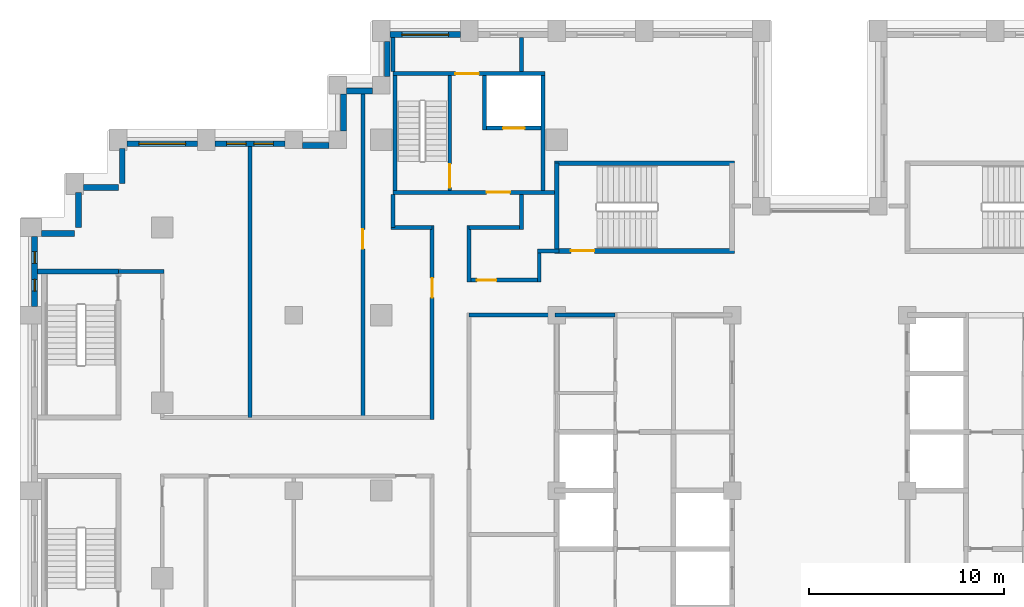
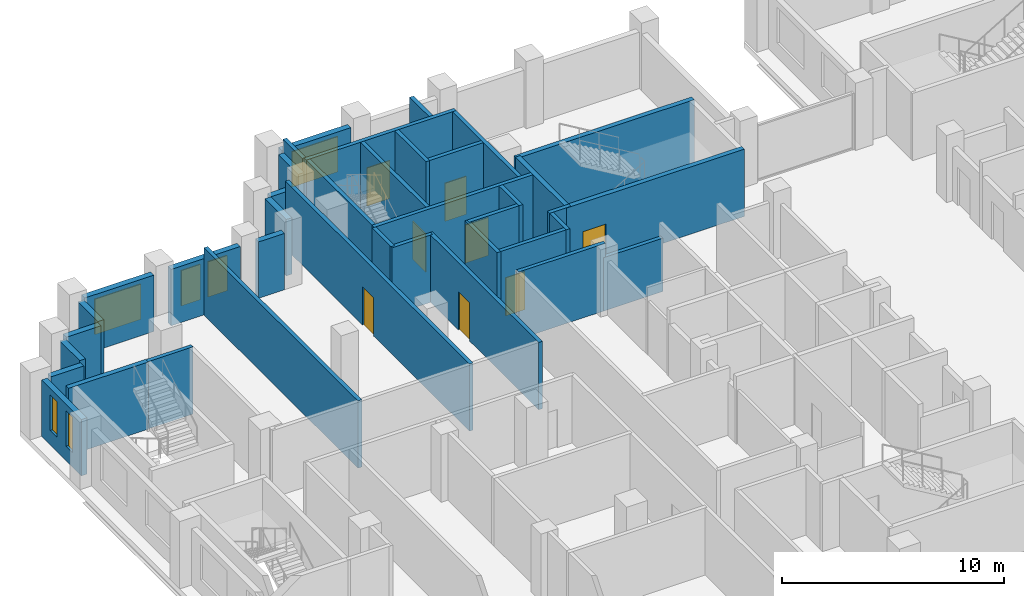
# One storey, part 10 of 16: 39 walls, 8 doors, 6 windows, 14 openings.
"""IFC4 building model written with IfcOpenShell, lengths in metres."""

import ifcopenshell
import ifcopenshell.guid

model = None  # the IFC model being written
_history = None  # IfcOwnerHistory: only IFC2X3 demands one
_inside = {}  # id of a spatial element -> (the spatial element, [elements in it])
_under = {}  # id of a project, library or spatial element -> (it, [spatial elements below it])
_declared = {}  # id of a project -> (the project, [libraries it declares])
_typed = {}  # id of a type object -> (the type object, [elements of that type])
_made_of = {}  # id of a material, layer set ... -> (it, [elements and type objects made of it])


def new_model(schema):
    """Start an empty IFC model of exactly this schema.

    Asked for "IFC4X3", IfcOpenShell would pick the latest addendum, in which some entities
    have other attributes; the version numbers below select the first issue.
    IFC2X3 requires an IfcOwnerHistory on every rooted entity: one is made here for all.
    """
    global model, _history
    if schema == "IFC4X3":
        model = ifcopenshell.file(schema_version=(4, 3, 0, 0))
    else:
        model = ifcopenshell.file(schema=schema)
    _inside.clear()
    _under.clear()
    _declared.clear()
    _typed.clear()
    _made_of.clear()
    _history = None
    if model.schema == "IFC2X3":
        org = make("IfcOrganization", Name="unknown")
        user = make(
            "IfcPersonAndOrganization",
            ThePerson=make("IfcPerson", FamilyName="unknown"),
            TheOrganization=org,
        )
        app = make(
            "IfcApplication",
            ApplicationDeveloper=org,
            Version="unknown",
            ApplicationFullName="unknown",
            ApplicationIdentifier="unknown",
        )
        _history = make(
            "IfcOwnerHistory",
            OwningUser=user,
            OwningApplication=app,
            ChangeAction="ADDED",
            CreationDate=0,
        )
    return model


def make(cls, **values):
    """One entity of the class cls with the attributes given. An attribute that is None is left unset."""
    return model.create_entity(
        cls, **{name: value for name, value in values.items() if value is not None}
    )


def rooted(cls, **values):
    """An entity with a GlobalId (a new one), such as an element, a storey or a relation."""
    return make(cls, GlobalId=ifcopenshell.guid.new(), OwnerHistory=_history, **values)


def si_unit(unit_type, name, prefix=None):
    """IfcSIUnit, for example si_unit("LENGTHUNIT", "METRE", prefix="MILLI")."""
    return make("IfcSIUnit", UnitType=unit_type, Prefix=prefix, Name=name)


def assignment(units):
    """IfcUnitAssignment: the units of a project."""
    return None if units is None else make("IfcUnitAssignment", Units=units)


def point(xyz):
    """IfcCartesianPoint."""
    return None if xyz is None else make("IfcCartesianPoint", Coordinates=xyz)


def direction(xyz):
    """IfcDirection."""
    return None if xyz is None else make("IfcDirection", DirectionRatios=xyz)


def frame(location, z_axis=None, x_axis=None):
    """IfcAxis2Placement3D, a coordinate frame: its origin and axes. An axis left out is left unset."""
    return make(
        "IfcAxis2Placement3D",
        Location=point(location),
        Axis=direction(z_axis),
        RefDirection=direction(x_axis),
    )


def frame_2d(location, x_axis=None):
    """IfcAxis2Placement2D, a coordinate frame in the plane: its origin and x axis."""
    return make(
        "IfcAxis2Placement2D", Location=point(location), RefDirection=direction(x_axis)
    )


def origin():
    """The frame at (0, 0, 0) with its axes left unset."""
    return frame((0.0, 0.0, 0.0))


def place(relative_to, where):
    """IfcLocalPlacement: puts the frame where relative to a parent placement (None: the world)."""
    return make(
        "IfcLocalPlacement", PlacementRelTo=relative_to, RelativePlacement=where
    )


def context(
    kind, dimensions, precision=None, world=None, true_north=None, identifier=None
):
    """IfcGeometricRepresentationContext, for example the 3D "Model" context."""
    return make(
        "IfcGeometricRepresentationContext",
        ContextIdentifier=identifier,
        ContextType=kind,
        CoordinateSpaceDimension=dimensions,
        Precision=precision,
        WorldCoordinateSystem=world,
        TrueNorth=true_north,
    )


def subcontext(parent, identifier, kind, view, scale=None):
    """IfcGeometricRepresentationSubContext, for example "Body" below "Model"."""
    return make(
        "IfcGeometricRepresentationSubContext",
        ContextIdentifier=identifier,
        ContextType=kind,
        ParentContext=parent,
        TargetScale=scale,
        TargetView=view,
    )


def project(units=None, contexts=None):
    """IfcProject with its units and contexts."""
    return rooted(
        "IfcProject",
        Name="project",
        RepresentationContexts=contexts,
        UnitsInContext=assignment(units),
    )


def spatial(cls, under=None, at=None, **own):
    """A site, building, storey or space (cls), placed at a placement, below another one or the project."""
    s = rooted(cls, ObjectPlacement=at, **own)
    if under is not None:
        _under.setdefault(under.id(), (under, []))[1].append(s)
    return s


def profile(cls, at=None, kind="AREA", **sizes):
    """A parametric profile (cls). Its sizes go by their IFC names, for example OverallWidth=200.0."""
    return make(cls, ProfileType=kind, Position=at, **sizes)


def rectangle(**sizes):
    """IfcRectangleProfileDef."""
    return profile("IfcRectangleProfileDef", **sizes)


def extrude(swept, where, along, depth):
    """IfcExtrudedAreaSolid: the profile swept, set in the frame where, extruded along a direction by depth."""
    return make(
        "IfcExtrudedAreaSolid",
        SweptArea=swept,
        Position=where,
        ExtrudedDirection=direction(along),
        Depth=depth,
    )


def shape(context_of_items, identifier, shape_type, items):
    """IfcShapeRepresentation: the items that make up one representation, for example the "Body"."""
    return make(
        "IfcShapeRepresentation",
        ContextOfItems=context_of_items,
        RepresentationIdentifier=identifier,
        RepresentationType=shape_type,
        Items=items,
    )


def material(Name=None, Category=None):
    """IfcMaterial."""
    return make("IfcMaterial", Name=Name, Category=Category)


def layer(
    of_material, thickness, ventilated=None, Name=None, Category=None, Priority=None
):
    """IfcMaterialLayer: one layer of a wall or slab, of a material (None: an air gap)."""
    return make(
        "IfcMaterialLayer",
        Material=of_material,
        LayerThickness=thickness,
        IsVentilated=ventilated,
        Name=Name,
        Category=Category,
        Priority=Priority,
    )


def layer_set(layers, Name=None):
    """IfcMaterialLayerSet."""
    return make("IfcMaterialLayerSet", MaterialLayers=layers, LayerSetName=Name)


def made_of(thing, what):
    """Note that an element or type object is made of a material, layer set ...; save() writes the relation."""
    if what is not None:
        _made_of.setdefault(what.id(), (what, []))[1].append(thing)
    return thing


def type_object(cls, material=None, **own):
    """A type object (cls), such as IfcWallType, which elements share."""
    return made_of(rooted(cls, **own), material)


def element(
    cls,
    number,
    at=None,
    inside=None,
    cuts=None,
    type_object=None,
    material=None,
    context=None,
    identifier="Body",
    shape_type=None,
    held_by="IfcProductDefinitionShape",
    body=None,
    shapes=None,
    **own,
):
    """One element of the class cls, such as IfcWall. Its Tag is "e" and its number.

    at: its placement. inside: the storey or other place that contains it. cuts: it is an
    opening in that element (IfcRelVoidsElement). A single representation is given by context,
    identifier, shape_type and body (its items); several are given by shapes. held_by: the class
    of the entity that holds the representations. save() writes the other relations.
    """
    e = rooted(cls, Tag="e%d" % number, ObjectPlacement=at, **own)
    if body is not None:
        shapes = [shape(context, identifier, shape_type, body)]
    if shapes is not None:
        e.Representation = make(held_by, Representations=shapes)
    if inside is not None:
        _inside.setdefault(inside.id(), (inside, []))[1].append(e)
    if cuts is not None:
        rooted(
            "IfcRelVoidsElement", RelatingBuildingElement=cuts, RelatedOpeningElement=e
        )
    if type_object is not None:
        _typed.setdefault(type_object.id(), (type_object, []))[1].append(e)
    return made_of(e, material)


def fill(opening, filler):
    """IfcRelFillsElement: the door or window that sits in an opening."""
    return rooted(
        "IfcRelFillsElement",
        RelatingOpeningElement=opening,
        RelatedBuildingElement=filler,
    )


def aggregate(whole, parts):
    """IfcRelAggregates: a whole, such as a stair, and the parts it consists of."""
    return rooted("IfcRelAggregates", RelatingObject=whole, RelatedObjects=parts)


def save(model, path):
    """Write the relations noted so far, then the file.

    IfcRelAggregates (storeys below a building ...), IfcRelContainedInSpatialStructure (elements
    in a storey), IfcRelDefinesByType, IfcRelAssociatesMaterial and IfcRelDeclares: one each for
    every whole, place, type object, material and project.
    """
    for whole, parts in _under.values():
        aggregate(whole, parts)
    for where, things in _inside.values():
        rooted(
            "IfcRelContainedInSpatialStructure",
            RelatedElements=things,
            RelatingStructure=where,
        )
    for kind, things in _typed.values():
        rooted("IfcRelDefinesByType", RelatedObjects=things, RelatingType=kind)
    for what, things in _made_of.values():
        rooted("IfcRelAssociatesMaterial", RelatedObjects=things, RelatingMaterial=what)
    for by, libraries in _declared.values():
        rooted("IfcRelDeclares", RelatingContext=by, RelatedDefinitions=libraries)
    model.write(path)


model = new_model("IFC4")

# Units and contexts
model_context = context("Model", 3, precision=1e-05, world=origin(), true_north=direction((0.0, 1.0)))
body_context = subcontext(model_context, "Body", "Model", "MODEL_VIEW")
ifc_project = project(units=[si_unit("LENGTHUNIT", "METRE"), si_unit("AREAUNIT", "SQUARE_METRE"), si_unit("VOLUMEUNIT", "CUBIC_METRE"), si_unit("PLANEANGLEUNIT", "RADIAN"), si_unit("MASSUNIT", "GRAM", prefix="KILO")], contexts=[model_context])

# Site, building, storey
site_placement = place(None, origin())
site = spatial("IfcSite", under=ifc_project, at=site_placement, CompositionType="ELEMENT")
building_placement = place(site_placement, origin())
building = spatial("IfcBuilding", under=site, at=building_placement, Name="Corbelhall Arena Tower", CompositionType="ELEMENT")
storey_placement = place(building_placement, frame((0.0, 0.0, 154.0)))
storey = spatial("IfcBuildingStorey", under=building, at=storey_placement, Name="L30", CompositionType="ELEMENT", Elevation=154.0)

# Walls
ifc_material_1 = material(Name="Precast concrete C40/50 with granite facing", Category="masonry")
ifc_layer_1 = layer(ifc_material_1, 0.300048828125)
ifc_layer_set_1 = layer_set([ifc_layer_1], Name="EV-IW1 Infill panel 300")
wall_type_1 = type_object("IfcWallType", Name="EV-IW1 Infill panel 300", PredefinedType="SOLIDWALL", material=ifc_layer_set_1)
for number, where, z_axis, x_axis, name in (
    (1, (-35.800048828125, 17.550048828125, 0.0), (0.0, 0.0, 1.0), (0.0, -1.0, 0.0), "Infill panel IW1"),
    (2, (-37.800048828125, 15.550048828125, 0.0), (0.0, 0.0, 1.0), (1.0, 0.0, 0.0), "Infill panel IW1"),
    (3, (-38.050048828125, 15.300048828125, 0.0), (0.0, 0.0, 1.0), (0.0, -1.0, 0.0), "Infill panel IW1"),
):
    element("IfcWall", number, at=place(storey_placement, frame(where, z_axis=z_axis, x_axis=x_axis)), inside=storey, type_object=wall_type_1, Name=name, PredefinedType="SOLIDWALL", context=body_context, shape_type="SweptSolid", body=[
        extrude(rectangle(XDim=1.800048828125, YDim=0.300048828125, at=frame_2d((0.89990234375, 0.0))), origin(), (0.0, 0.0, 1.0), 3.10009765625),
    ])
wall_1_placement = place(storey_placement, frame((-39.949951171875, 13.199951171875, 0.0), z_axis=(0.0, 0.0, 1.0), x_axis=(1.0, 0.0, 0.0)))
element("IfcWall", 4, at=wall_1_placement, inside=storey, type_object=wall_type_1, Name="Infill panel IW1", PredefinedType="SOLIDWALL", context=body_context, shape_type="SweptSolid", body=[
    extrude(rectangle(XDim=1.699951171875, YDim=0.300048828125, at=frame_2d((0.85009765625, 0.0))), origin(), (0.0, 0.0, 1.0), 3.10009765625),
])
wall_2_placement = place(storey_placement, frame((-22.199951171875, 23.050048828125, 0.0), z_axis=(0.0, 0.0, 1.0), x_axis=(0.0, -1.0, 0.0)))
element("IfcWall", 5, at=wall_2_placement, inside=storey, type_object=wall_type_1, Name="Infill panel IW1", PredefinedType="SOLIDWALL", context=body_context, shape_type="SweptSolid", body=[
    extrude(rectangle(XDim=1.800048828125, YDim=0.300048828125, at=frame_2d((0.89990234375, 0.0))), origin(), (0.0, 0.0, 1.0), 3.10009765625),
])
wall_3_placement = place(storey_placement, frame((-22.949951171875, 20.5, 0.0), z_axis=(0.0, 0.0, 1.0), x_axis=(-1.0, 0.0, 0.0)))
element("IfcWall", 6, at=wall_3_placement, inside=storey, type_object=wall_type_1, Name="Infill panel IW1", PredefinedType="SOLIDWALL", context=body_context, shape_type="SweptSolid", body=[
    extrude(rectangle(XDim=1.35009765625, YDim=0.300048828125, at=frame_2d((0.675048828125, 0.0))), origin(), (0.0, 0.0, 1.0), 3.10009765625),
])
wall_4_placement = place(storey_placement, frame((-24.449951171875, 20.35009765625, 0.0), z_axis=(0.0, 0.0, 1.0), x_axis=(0.0, -1.0, 0.0)))
element("IfcWall", 7, at=wall_4_placement, inside=storey, type_object=wall_type_1, Name="Infill panel IW1", PredefinedType="SOLIDWALL", context=body_context, shape_type="SweptSolid", body=[
    extrude(rectangle(XDim=1.900146484375, YDim=0.300048828125, at=frame_2d((0.9501953125, 0.0))), origin(), (0.0, 0.0, 1.0), 3.10009765625),
])
wall_5_placement = place(storey_placement, frame((-25.199951171875, 17.699951171875, 0.0), z_axis=(0.0, 0.0, 1.0), x_axis=(-1.0, 0.0, 0.0)))
element("IfcWall", 8, at=wall_5_placement, inside=storey, type_object=wall_type_1, Name="Infill panel IW1", PredefinedType="SOLIDWALL", context=body_context, shape_type="SweptSolid", body=[
    extrude(rectangle(XDim=1.35009765625, YDim=0.300048828125, at=frame_2d((0.675048828125, 0.0))), origin(), (0.0, 0.0, 1.0), 3.10009765625),
])

# Wall, openings, windows
wall_6_placement = place(storey_placement, frame((-27.449951171875, 17.800048828125, 0.0), z_axis=(0.0, 0.0, 1.0), x_axis=(-1.0, 0.0, 0.0)))
wall_6 = element("IfcWall", 9, at=wall_6_placement, inside=storey, type_object=wall_type_1, Name="Infill panel IW1", PredefinedType="SOLIDWALL", context=body_context, shape_type="SweptSolid", body=[
    extrude(rectangle(XDim=3.60009765625, YDim=0.300048828125, at=frame_2d((1.800048828125, 0.0))), origin(), (0.0, 0.0, 1.0), 3.10009765625),
])
opening_1_placement = place(wall_6_placement, frame((0.60009765625, 0.0, 0.800048828125)))
opening_1 = element("IfcOpeningElement", 10, at=opening_1_placement, cuts=wall_6, Name="Opening WN6", PredefinedType="OPENING", context=body_context, shape_type="SweptSolid", body=[
    extrude(rectangle(XDim=1.0, YDim=1.949951171875, at=frame_2d((0.5, 0.97509765625))), frame((0.0, 0.14990234375, 0.0), z_axis=(0.0, -1.0, 0.0), x_axis=(1.0, 0.0, 0.0)), (0.0, 0.0, 1.0), 0.300048828125),
])
opening_2_placement = place(wall_6_placement, frame((2.0, 0.0, 0.800048828125)))
opening_2 = element("IfcOpeningElement", 11, at=opening_2_placement, cuts=wall_6, Name="Opening WN6", PredefinedType="OPENING", context=body_context, shape_type="SweptSolid", body=[
    extrude(rectangle(XDim=1.0, YDim=1.949951171875, at=frame_2d((0.5, 0.97509765625))), frame((0.0, 0.14990234375, 0.0), z_axis=(0.0, -1.0, 0.0), x_axis=(1.0, 0.0, 0.0)), (0.0, 0.0, 1.0), 0.300048828125),
])
ifc_material_2 = material(Name="Aluminium black anodised", Category="aluminium")
window_type_1 = type_object("IfcWindowType", Name="EV-WN6 Office window 1000", PartitioningType="SINGLE_PANEL", PredefinedType="WINDOW", material=ifc_material_2)
window_1_placement = place(opening_1_placement, origin())
window_1 = element("IfcWindow", 12, at=window_1_placement, inside=storey, type_object=window_type_1, Name="Window WN6", OverallHeight=1.949951171875, OverallWidth=1.0, PartitioningType="SINGLE_PANEL", PredefinedType="WINDOW", context=body_context, shape_type="SweptSolid", body=[
    extrude(rectangle(XDim=1.0, YDim=1.949951171875, at=frame_2d((0.5, 0.97509765625))), frame((0.0, 0.030029296875, 0.0), z_axis=(0.0, -1.0, 0.0), x_axis=(1.0, 0.0, 0.0)), (0.0, 0.0, 1.0), 0.06005859375),
])
fill(opening_1, window_1)
window_2_placement = place(opening_2_placement, origin())
window_2 = element("IfcWindow", 13, at=window_2_placement, inside=storey, type_object=window_type_1, Name="Window WN6", OverallHeight=1.949951171875, OverallWidth=1.0, PartitioningType="SINGLE_PANEL", PredefinedType="WINDOW", context=body_context, shape_type="SweptSolid", body=[
    extrude(rectangle(XDim=1.0, YDim=1.949951171875, at=frame_2d((0.5, 0.97509765625))), frame((0.0, 0.030029296875, 0.0), z_axis=(0.0, -1.0, 0.0), x_axis=(1.0, 0.0, 0.0)), (0.0, 0.0, 1.0), 0.06005859375),
])
fill(opening_2, window_2)

# Wall, opening, window
wall_7_placement = place(storey_placement, frame((-31.949951171875, 17.800048828125, 0.0), z_axis=(0.0, 0.0, 1.0), x_axis=(-1.0, 0.0, 0.0)))
wall_7 = element("IfcWall", 14, at=wall_7_placement, inside=storey, type_object=wall_type_1, Name="Infill panel IW1", PredefinedType="SOLIDWALL", context=body_context, shape_type="SweptSolid", body=[
    extrude(rectangle(XDim=3.60009765625, YDim=0.300048828125, at=frame_2d((1.800048828125, 0.0))), origin(), (0.0, 0.0, 1.0), 3.10009765625),
])
opening_3_placement = place(wall_7_placement, frame((0.60009765625, 0.0, 0.800048828125)))
opening_3 = element("IfcOpeningElement", 15, at=opening_3_placement, cuts=wall_7, Name="Opening WN1", PredefinedType="OPENING", context=body_context, shape_type="SweptSolid", body=[
    extrude(rectangle(XDim=2.39990234375, YDim=1.949951171875, at=frame_2d((1.199951171875, 0.97509765625))), frame((0.0, 0.14990234375, 0.0), z_axis=(0.0, -1.0, 0.0), x_axis=(1.0, 0.0, 0.0)), (0.0, 0.0, 1.0), 0.300048828125),
])
window_type_2 = type_object("IfcWindowType", Name="EV-WN1 Office window", PartitioningType="SINGLE_PANEL", PredefinedType="WINDOW", material=ifc_material_2)
window_3_placement = place(opening_3_placement, origin())
window_3 = element("IfcWindow", 16, at=window_3_placement, inside=storey, type_object=window_type_2, Name="Window WN1", OverallHeight=1.949951171875, OverallWidth=2.39990234375, PartitioningType="SINGLE_PANEL", PredefinedType="WINDOW", context=body_context, shape_type="SweptSolid", body=[
    extrude(rectangle(XDim=2.39990234375, YDim=1.949951171875, at=frame_2d((1.199951171875, 0.97509765625))), frame((0.0, 0.030029296875, 0.0), z_axis=(0.0, -1.0, 0.0), x_axis=(1.0, 0.0, 0.0)), (0.0, 0.0, 1.0), 0.06005859375),
])
fill(opening_3, window_3)

# Wall, openings, windows
wall_8_placement = place(storey_placement, frame((-40.300048828125, 13.050048828125, 0.0), z_axis=(0.0, 0.0, 1.0), x_axis=(0.0, -1.0, 0.0)))
wall_8 = element("IfcWall", 17, at=wall_8_placement, inside=storey, type_object=wall_type_1, Name="Infill panel IW1", PredefinedType="SOLIDWALL", context=body_context, shape_type="SweptSolid", body=[
    extrude(rectangle(XDim=3.60009765625, YDim=0.300048828125, at=frame_2d((1.800048828125, 0.0))), origin(), (0.0, 0.0, 1.0), 3.10009765625),
])
opening_4_placement = place(wall_8_placement, frame((0.78759765625, 0.0, 0.800048828125)))
opening_4 = element("IfcOpeningElement", 18, at=opening_4_placement, cuts=wall_8, Name="Opening WN5", PredefinedType="OPENING", context=body_context, shape_type="SweptSolid", body=[
    extrude(rectangle(XDim=0.60009765625, YDim=1.949951171875, at=frame_2d((0.300048828125, 0.97509765625))), frame((0.0, 0.14990234375, 0.0), z_axis=(0.0, -1.0, 0.0), x_axis=(1.0, 0.0, 0.0)), (0.0, 0.0, 1.0), 0.300048828125),
])
opening_5_placement = place(wall_8_placement, frame((2.21240234375, 0.0, 0.800048828125)))
opening_5 = element("IfcOpeningElement", 19, at=opening_5_placement, cuts=wall_8, Name="Opening WN5", PredefinedType="OPENING", context=body_context, shape_type="SweptSolid", body=[
    extrude(rectangle(XDim=0.60009765625, YDim=1.949951171875, at=frame_2d((0.300048828125, 0.97509765625))), frame((0.0, 0.14990234375, 0.0), z_axis=(0.0, -1.0, 0.0), x_axis=(1.0, 0.0, 0.0)), (0.0, 0.0, 1.0), 0.300048828125),
])
window_type_3 = type_object("IfcWindowType", Name="EV-WN5 Office window 600", PartitioningType="SINGLE_PANEL", PredefinedType="WINDOW", material=ifc_material_2)
window_4_placement = place(opening_4_placement, origin())
window_4 = element("IfcWindow", 20, at=window_4_placement, inside=storey, type_object=window_type_3, Name="Window WN5", OverallHeight=1.949951171875, OverallWidth=0.60009765625, PartitioningType="SINGLE_PANEL", PredefinedType="WINDOW", context=body_context, shape_type="SweptSolid", body=[
    extrude(rectangle(XDim=0.60009765625, YDim=1.949951171875, at=frame_2d((0.300048828125, 0.97509765625))), frame((0.0, 0.030029296875, 0.0), z_axis=(0.0, -1.0, 0.0), x_axis=(1.0, 0.0, 0.0)), (0.0, 0.0, 1.0), 0.06005859375),
])
fill(opening_4, window_4)
window_5_placement = place(opening_5_placement, origin())
window_5 = element("IfcWindow", 21, at=window_5_placement, inside=storey, type_object=window_type_3, Name="Window WN5", OverallHeight=1.949951171875, OverallWidth=0.60009765625, PartitioningType="SINGLE_PANEL", PredefinedType="WINDOW", context=body_context, shape_type="SweptSolid", body=[
    extrude(rectangle(XDim=0.60009765625, YDim=1.949951171875, at=frame_2d((0.300048828125, 0.97509765625))), frame((0.0, 0.030029296875, 0.0), z_axis=(0.0, -1.0, 0.0), x_axis=(1.0, 0.0, 0.0)), (0.0, 0.0, 1.0), 0.06005859375),
])
fill(opening_5, window_5)

# Wall, opening, window
wall_9_placement = place(storey_placement, frame((-18.449951171875, 23.39990234375, 0.0), z_axis=(0.0, 0.0, 1.0), x_axis=(-1.0, 0.0, 0.0)))
wall_9 = element("IfcWall", 22, at=wall_9_placement, inside=storey, type_object=wall_type_1, Name="Infill panel IW1", PredefinedType="SOLIDWALL", context=body_context, shape_type="SweptSolid", body=[
    extrude(rectangle(XDim=3.60009765625, YDim=0.300048828125, at=frame_2d((1.800048828125, 0.0))), origin(), (0.0, 0.0, 1.0), 3.10009765625),
])
opening_6_placement = place(wall_9_placement, frame((0.60009765625, 0.0, 0.800048828125)))
opening_6 = element("IfcOpeningElement", 23, at=opening_6_placement, cuts=wall_9, Name="Opening WN1", PredefinedType="OPENING", context=body_context, shape_type="SweptSolid", body=[
    extrude(rectangle(XDim=2.39990234375, YDim=1.949951171875, at=frame_2d((1.199951171875, 0.97509765625))), frame((0.0, 0.14990234375, 0.0), z_axis=(0.0, -1.0, 0.0), x_axis=(1.0, 0.0, 0.0)), (0.0, 0.0, 1.0), 0.300048828125),
])
window_6_placement = place(opening_6_placement, origin())
window_6 = element("IfcWindow", 24, at=window_6_placement, inside=storey, type_object=window_type_2, Name="Window WN1", OverallHeight=1.949951171875, OverallWidth=2.39990234375, PartitioningType="SINGLE_PANEL", PredefinedType="WINDOW", context=body_context, shape_type="SweptSolid", body=[
    extrude(rectangle(XDim=2.39990234375, YDim=1.949951171875, at=frame_2d((1.199951171875, 0.97509765625))), frame((0.0, 0.030029296875, 0.0), z_axis=(0.0, -1.0, 0.0), x_axis=(1.0, 0.0, 0.0)), (0.0, 0.0, 1.0), 0.06005859375),
])
fill(opening_6, window_6)

# Walls
ifc_material_3 = material(Name="Gypsum board on steel stud, acoustic", Category="steel")
ifc_layer_2 = layer(ifc_material_3, 0.199951171875)
ifc_layer_set_2 = layer_set([ifc_layer_2], Name="IN-W-DM200")
wall_type_2 = type_object("IfcWallType", Name="IN-W-DM200", PredefinedType="PARTITIONING", material=ifc_layer_set_2)
wall_10_placement = place(storey_placement, frame((-36.0, 11.25, 0.0), z_axis=(0.0, 0.0, 1.0), x_axis=(1.0, 0.0, 0.0)))
element("IfcWall", 25, at=wall_10_placement, inside=storey, type_object=wall_type_2, Name="Partition 001", PredefinedType="PARTITIONING", context=body_context, shape_type="SweptSolid", body=[
    extrude(rectangle(XDim=2.35009765625, YDim=0.199951171875, at=frame_2d((1.175048828125, 0.0))), origin(), (0.0, 0.0, 1.0), 3.699951171875),
])
wall_11_placement = place(storey_placement, frame((-29.25, 3.75, 0.0), z_axis=(0.0, 0.0, 1.0), x_axis=(0.0, 1.0, 0.0)))
element("IfcWall", 26, at=wall_11_placement, inside=storey, type_object=wall_type_2, Name="Partition 008", PredefinedType="PARTITIONING", context=body_context, shape_type="SweptSolid", body=[
    extrude(rectangle(XDim=13.89990234375, YDim=0.199951171875, at=frame_2d((6.949951171875, 0.0))), origin(), (0.0, 0.0, 1.0), 3.699951171875),
])

# Wall, opening, door
wall_12_placement = place(storey_placement, frame((-23.449951171875, 3.75, 0.0), z_axis=(0.0, 0.0, 1.0), x_axis=(0.0, 1.0, 0.0)))
wall_12 = element("IfcWall", 27, at=wall_12_placement, inside=storey, type_object=wall_type_2, Name="Partition 012", PredefinedType="PARTITIONING", context=body_context, shape_type="SweptSolid", body=[
    extrude(rectangle(XDim=16.60009765625, YDim=0.199951171875, at=frame_2d((8.300048828125, 0.0))), origin(), (0.0, 0.0, 1.0), 3.699951171875),
])
opening_7_placement = place(wall_12_placement, frame((8.64990234375, 0.0, 0.0)))
opening_7 = element("IfcOpeningElement", 28, at=opening_7_placement, cuts=wall_12, Name="Opening 08032", PredefinedType="OPENING", context=body_context, shape_type="SweptSolid", body=[
    extrude(rectangle(XDim=1.0, YDim=2.10009765625, at=frame_2d((0.5, 1.050048828125))), frame((0.0, 0.10009765625, 0.0), z_axis=(0.0, -1.0, 0.0), x_axis=(1.0, 0.0, 0.0)), (0.0, 0.0, 1.0), 0.199951171875),
])
ifc_material_4 = material(Name="Steel door set", Category="steel")
door_type_1 = type_object("IfcDoorType", Name="IN-D-SW100", OperationType="NOTDEFINED", PredefinedType="DOOR", material=ifc_material_4)
door_1_placement = place(opening_7_placement, origin())
door_1 = element("IfcDoor", 29, at=door_1_placement, inside=storey, type_object=door_type_1, Name="Door 032", OperationType="SINGLE_SWING_LEFT", OverallHeight=2.10009765625, OverallWidth=1.0, PredefinedType="DOOR", context=body_context, shape_type="SweptSolid", body=[
    extrude(rectangle(XDim=1.0, YDim=2.10009765625, at=frame_2d((0.5, 1.050048828125))), frame((0.0, 0.02490234375, 0.0), z_axis=(0.0, -1.0, 0.0), x_axis=(1.0, 0.0, 0.0)), (0.0, 0.0, 1.0), 0.050048828125),
])
fill(opening_7, door_1)

# Walls
wall_13_placement = place(storey_placement, frame((-21.89990234375, 13.5, 0.0), z_axis=(0.0, 0.0, 1.0), x_axis=(0.0, 1.0, 0.0)))
element("IfcWall", 30, at=wall_13_placement, inside=storey, type_object=wall_type_2, Name="Partition 013", PredefinedType="PARTITIONING", context=body_context, shape_type="SweptSolid", body=[
    extrude(rectangle(XDim=1.699951171875, YDim=0.199951171875, at=frame_2d((0.85009765625, 0.0))), origin(), (0.0, 0.0, 1.0), 3.699951171875),
])
wall_14_placement = place(storey_placement, frame((-21.89990234375, 21.5, 0.0), z_axis=(0.0, 0.0, 1.0), x_axis=(0.0, 1.0, 0.0)))
element("IfcWall", 31, at=wall_14_placement, inside=storey, type_object=wall_type_2, Name="Partition 014", PredefinedType="PARTITIONING", context=body_context, shape_type="SweptSolid", body=[
    extrude(rectangle(XDim=1.75, YDim=0.199951171875, at=frame_2d((0.875, 0.0))), origin(), (0.0, 0.0, 1.0), 3.699951171875),
])

# Wall, opening, door
wall_15_placement = place(storey_placement, frame((-19.89990234375, 3.64990234375, 0.0), z_axis=(0.0, 0.0, 1.0), x_axis=(0.0, 1.0, 0.0)))
wall_15 = element("IfcWall", 32, at=wall_15_placement, inside=storey, type_object=wall_type_2, Name="Partition 016", PredefinedType="PARTITIONING", context=body_context, shape_type="SweptSolid", body=[
    extrude(rectangle(XDim=9.9501953125, YDim=0.199951171875, at=frame_2d((4.97509765625, 0.0))), origin(), (0.0, 0.0, 1.0), 3.699951171875),
])
opening_8_placement = place(wall_15_placement, frame((6.25, 0.0, 0.0)))
opening_8 = element("IfcOpeningElement", 33, at=opening_8_placement, cuts=wall_15, Name="Opening 08031", PredefinedType="OPENING", context=body_context, shape_type="SweptSolid", body=[
    extrude(rectangle(XDim=1.0, YDim=2.10009765625, at=frame_2d((0.5, 1.050048828125))), frame((0.0, 0.10009765625, 0.0), z_axis=(0.0, -1.0, 0.0), x_axis=(1.0, 0.0, 0.0)), (0.0, 0.0, 1.0), 0.199951171875),
])
door_2_placement = place(opening_8_placement, origin())
door_2 = element("IfcDoor", 34, at=door_2_placement, inside=storey, type_object=door_type_1, Name="Door 031", OperationType="SINGLE_SWING_RIGHT", OverallHeight=2.10009765625, OverallWidth=1.0, PredefinedType="DOOR", context=body_context, shape_type="SweptSolid", body=[
    extrude(rectangle(XDim=1.0, YDim=2.10009765625, at=frame_2d((0.5, 1.050048828125))), frame((0.0, 0.02490234375, 0.0), z_axis=(0.0, -1.0, 0.0), x_axis=(1.0, 0.0, 0.0)), (0.0, 0.0, 1.0), 0.050048828125),
])
fill(opening_8, door_2)

# Wall
wall_16_placement = place(storey_placement, frame((-19.89990234375, 13.5, 0.0), z_axis=(0.0, 0.0, 1.0), x_axis=(-1.0, 0.0, 0.0)))
element("IfcWall", 35, at=wall_16_placement, inside=storey, type_object=wall_type_2, Name="Partition 017", PredefinedType="PARTITIONING", context=body_context, shape_type="SweptSolid", body=[
    extrude(rectangle(XDim=2.10009765625, YDim=0.199951171875, at=frame_2d((1.050048828125, 0.0))), origin(), (0.0, 0.0, 1.0), 3.699951171875),
])

# Wall, opening, door
wall_17_placement = place(storey_placement, frame((-18.0, 10.800048828125, 0.0), z_axis=(0.0, 0.0, 1.0), x_axis=(1.0, 0.0, 0.0)))
wall_17 = element("IfcWall", 36, at=wall_17_placement, inside=storey, type_object=wall_type_2, Name="Partition 022", PredefinedType="PARTITIONING", context=body_context, shape_type="SweptSolid", body=[
    extrude(rectangle(XDim=3.60009765625, YDim=0.199951171875, at=frame_2d((1.800048828125, 0.0))), origin(), (0.0, 0.0, 1.0), 3.699951171875),
])
opening_9_placement = place(wall_17_placement, frame((0.39990234375, 0.0, 0.0)))
opening_9 = element("IfcOpeningElement", 37, at=opening_9_placement, cuts=wall_17, Name="Opening 08027", PredefinedType="OPENING", context=body_context, shape_type="SweptSolid", body=[
    extrude(rectangle(XDim=1.0, YDim=2.10009765625, at=frame_2d((0.5, 1.050048828125))), frame((0.0, 0.10009765625, 0.0), z_axis=(0.0, -1.0, 0.0), x_axis=(1.0, 0.0, 0.0)), (0.0, 0.0, 1.0), 0.199951171875),
])
door_3_placement = place(opening_9_placement, origin())
door_3 = element("IfcDoor", 38, at=door_3_placement, inside=storey, type_object=door_type_1, Name="Door 027", OperationType="SINGLE_SWING_RIGHT", OverallHeight=2.10009765625, OverallWidth=1.0, PredefinedType="DOOR", context=body_context, shape_type="SweptSolid", body=[
    extrude(rectangle(XDim=1.0, YDim=2.10009765625, at=frame_2d((0.5, 1.050048828125))), frame((0.0, 0.02490234375, 0.0), z_axis=(0.0, -1.0, 0.0), x_axis=(1.0, 0.0, 0.0)), (0.0, 0.0, 1.0), 0.050048828125),
])
fill(opening_9, door_3)

# Walls
wall_18_placement = place(storey_placement, frame((-18.0, 13.60009765625, 0.0), z_axis=(0.0, 0.0, 1.0), x_axis=(0.0, -1.0, 0.0)))
element("IfcWall", 39, at=wall_18_placement, inside=storey, type_object=wall_type_2, Name="Partition 023", PredefinedType="PARTITIONING", context=body_context, shape_type="SweptSolid", body=[
    extrude(rectangle(XDim=2.900146484375, YDim=0.199951171875, at=frame_2d((1.4501953125, 0.0))), origin(), (0.0, 0.0, 1.0), 3.699951171875),
])
wall_19_placement = place(storey_placement, frame((-15.300048828125, 13.5, 0.0), z_axis=(0.0, 0.0, 1.0), x_axis=(-1.0, 0.0, 0.0)))
element("IfcWall", 40, at=wall_19_placement, inside=storey, type_object=wall_type_2, Name="Partition 024", PredefinedType="PARTITIONING", context=body_context, shape_type="SweptSolid", body=[
    extrude(rectangle(XDim=2.699951171875, YDim=0.199951171875, at=frame_2d((1.35009765625, 0.0))), origin(), (0.0, 0.0, 1.0), 3.699951171875),
])
wall_20_placement = place(storey_placement, frame((-15.300048828125, 15.199951171875, 0.0), z_axis=(0.0, 0.0, 1.0), x_axis=(0.0, -1.0, 0.0)))
element("IfcWall", 41, at=wall_20_placement, inside=storey, type_object=wall_type_2, Name="Partition 025", PredefinedType="PARTITIONING", context=body_context, shape_type="SweptSolid", body=[
    extrude(rectangle(XDim=1.800048828125, YDim=0.199951171875, at=frame_2d((0.89990234375, 0.0))), origin(), (0.0, 0.0, 1.0), 3.699951171875),
])
wall_21_placement = place(storey_placement, frame((-15.300048828125, 23.25, 0.0), z_axis=(0.0, 0.0, 1.0), x_axis=(0.0, -1.0, 0.0)))
element("IfcWall", 42, at=wall_21_placement, inside=storey, type_object=wall_type_2, Name="Partition 026", PredefinedType="PARTITIONING", context=body_context, shape_type="SweptSolid", body=[
    extrude(rectangle(XDim=1.75, YDim=0.199951171875, at=frame_2d((0.875, 0.0))), origin(), (0.0, 0.0, 1.0), 3.699951171875),
])
wall_22_placement = place(storey_placement, frame((-14.5, 12.300048828125, 0.0), z_axis=(0.0, 0.0, 1.0), x_axis=(1.0, 0.0, 0.0)))
element("IfcWall", 43, at=wall_22_placement, inside=storey, type_object=wall_type_2, Name="Partition 027", PredefinedType="PARTITIONING", context=body_context, shape_type="SweptSolid", body=[
    extrude(rectangle(XDim=1.125, YDim=0.199951171875, at=frame_2d((0.5625, 0.0))), origin(), (0.0, 0.0, 1.0), 3.699951171875),
])
wall_23_placement = place(storey_placement, frame((-13.5, 9.0, 0.0), z_axis=(0.0, 0.0, 1.0), x_axis=(-1.0, 0.0, 0.0)))
element("IfcWall", 44, at=wall_23_placement, inside=storey, type_object=wall_type_2, Name="Partition 030", PredefinedType="PARTITIONING", context=body_context, shape_type="SweptSolid", body=[
    extrude(rectangle(XDim=4.5, YDim=0.199951171875, at=frame_2d((2.25, 0.0))), origin(), (0.0, 0.0, 1.0), 3.699951171875),
])
wall_24_placement = place(storey_placement, frame((-14.39990234375, 10.699951171875, 0.0), z_axis=(0.0, 0.0, 1.0), x_axis=(0.0, 1.0, 0.0)))
element("IfcWall", 45, at=wall_24_placement, inside=storey, type_object=wall_type_2, Name="Partition 031", PredefinedType="PARTITIONING", context=body_context, shape_type="SweptSolid", body=[
    extrude(rectangle(XDim=1.60009765625, YDim=0.199951171875, at=frame_2d((0.800048828125, 0.0))), origin(), (0.0, 0.0, 1.0), 3.699951171875),
])

# Wall, opening, door
ifc_material_5 = material(Name="Concrete C40/50", Category="concrete")
ifc_layer_3 = layer(ifc_material_5, 0.199951171875)
ifc_layer_set_3 = layer_set([ifc_layer_3], Name="IN-W-EAR200")
wall_type_3 = type_object("IfcWallType", Name="IN-W-EAR200", PredefinedType="SOLIDWALL", material=ifc_layer_set_3)
wall_25_placement = place(storey_placement, frame((-21.89990234375, 15.300048828125, 0.0), z_axis=(0.0, 0.0, 1.0), x_axis=(1.0, 0.0, 0.0)))
wall_25 = element("IfcWall", 46, at=wall_25_placement, inside=storey, type_object=wall_type_3, Name="Fire service turret wall south", PredefinedType="SOLIDWALL", context=body_context, shape_type="SweptSolid", body=[
    extrude(rectangle(XDim=8.27490234375, YDim=0.199951171875, at=frame_2d((4.137451171875, 0.0))), origin(), (0.0, 0.0, 1.0), 3.699951171875),
])
opening_10_placement = place(wall_25_placement, frame((4.800048828125, 0.0, 0.0)))
opening_10 = element("IfcOpeningElement", 47, at=opening_10_placement, cuts=wall_25, Name="Opening E082", PredefinedType="OPENING", context=body_context, shape_type="SweptSolid", body=[
    extrude(rectangle(XDim=1.199951171875, YDim=2.10009765625, at=frame_2d((0.60009765625, 1.050048828125))), frame((0.0, 0.10009765625, 0.0), z_axis=(0.0, -1.0, 0.0), x_axis=(1.0, 0.0, 0.0)), (0.0, 0.0, 1.0), 0.199951171875),
])
door_type_2 = type_object("IfcDoorType", Name="IN-D-ST120", OperationType="NOTDEFINED", PredefinedType="DOOR", material=ifc_material_4)
door_4_placement = place(opening_10_placement, origin())
door_4 = element("IfcDoor", 48, at=door_4_placement, inside=storey, type_object=door_type_2, Name="Door from fire service lift lobby to circulation", OperationType="SINGLE_SWING_RIGHT", OverallHeight=2.10009765625, OverallWidth=1.199951171875, PredefinedType="DOOR", context=body_context, shape_type="SweptSolid", body=[
    extrude(rectangle(XDim=1.199951171875, YDim=2.10009765625, at=frame_2d((0.60009765625, 1.050048828125))), frame((0.0, 0.02490234375, 0.0), z_axis=(0.0, -1.0, 0.0), x_axis=(1.0, 0.0, 0.0)), (0.0, 0.0, 1.0), 0.050048828125),
])
fill(opening_10, door_4)

wall_26_placement = place(storey_placement, frame((-21.89990234375, 21.39990234375, 0.0), z_axis=(0.0, 0.0, 1.0), x_axis=(1.0, 0.0, 0.0)))
wall_26 = element("IfcWall", 49, at=wall_26_placement, inside=storey, type_object=wall_type_3, Name="Fire service turret wall north", PredefinedType="SOLIDWALL", context=body_context, shape_type="SweptSolid", body=[
    extrude(rectangle(XDim=7.7998046875, YDim=0.199951171875, at=frame_2d((3.89990234375, 0.0))), origin(), (0.0, 0.0, 1.0), 3.699951171875),
])
opening_11_placement = place(wall_26_placement, frame((3.199951171875, 0.0, 0.0)))
opening_11 = element("IfcOpeningElement", 50, at=opening_11_placement, cuts=wall_26, Name="Opening E083", PredefinedType="OPENING", context=body_context, shape_type="SweptSolid", body=[
    extrude(rectangle(XDim=1.199951171875, YDim=2.10009765625, at=frame_2d((0.60009765625, 1.050048828125))), frame((0.0, 0.10009765625, 0.0), z_axis=(0.0, -1.0, 0.0), x_axis=(1.0, 0.0, 0.0)), (0.0, 0.0, 1.0), 0.199951171875),
])
door_5_placement = place(opening_11_placement, origin())
door_5 = element("IfcDoor", 51, at=door_5_placement, inside=storey, type_object=door_type_2, Name="Door from fire service lift lobby to the north gallery", OperationType="SINGLE_SWING_LEFT", OverallHeight=2.10009765625, OverallWidth=1.199951171875, PredefinedType="DOOR", context=body_context, shape_type="SweptSolid", body=[
    extrude(rectangle(XDim=1.199951171875, YDim=2.10009765625, at=frame_2d((0.60009765625, 1.050048828125))), frame((0.0, 0.02490234375, 0.0), z_axis=(0.0, -1.0, 0.0), x_axis=(1.0, 0.0, 0.0)), (0.0, 0.0, 1.0), 0.050048828125),
])
fill(opening_11, door_5)

# Walls
for number, where, z_axis, x_axis, name in (
    (52, (-21.800048828125, 15.39990234375, 0.0), (0.0, 0.0, 1.0), (0.0, 1.0, 0.0), "Fire service turret wall west"),
    (53, (-14.199951171875, 15.39990234375, 0.0), (0.0, 0.0, 1.0), (0.0, 1.0, 0.0), "Fire service turret wall east"),
):
    element("IfcWall", number, at=place(storey_placement, frame(where, z_axis=z_axis, x_axis=x_axis)), inside=storey, type_object=wall_type_3, Name=name, PredefinedType="SOLIDWALL", context=body_context, shape_type="SweptSolid", body=[
        extrude(rectangle(XDim=5.900146484375, YDim=0.199951171875, at=frame_2d((2.9501953125, 0.0))), origin(), (0.0, 0.0, 1.0), 3.699951171875),
    ])

# Wall, opening, door
wall_27_placement = place(storey_placement, frame((-18.989990234375, 15.39990234375, 0.0), z_axis=(0.0, 0.0, 1.0), x_axis=(0.0, 1.0, 0.0)))
wall_27 = element("IfcWall", 54, at=wall_27_placement, inside=storey, type_object=wall_type_3, Name="Fire service turret wall stair", PredefinedType="SOLIDWALL", context=body_context, shape_type="SweptSolid", body=[
    extrude(rectangle(XDim=5.900146484375, YDim=0.199951171875, at=frame_2d((2.9501953125, 0.0))), origin(), (0.0, 0.0, 1.0), 3.699951171875),
])
opening_12_placement = place(wall_27_placement, frame((0.14990234375, 0.0, 0.0)))
opening_12 = element("IfcOpeningElement", 55, at=opening_12_placement, cuts=wall_27, Name="Opening E081", PredefinedType="OPENING", context=body_context, shape_type="SweptSolid", body=[
    extrude(rectangle(XDim=1.199951171875, YDim=2.10009765625, at=frame_2d((0.60009765625, 1.050048828125))), frame((0.0, 0.10009765625, 0.0), z_axis=(0.0, -1.0, 0.0), x_axis=(1.0, 0.0, 0.0)), (0.0, 0.0, 1.0), 0.199951171875),
])
door_6_placement = place(opening_12_placement, origin())
door_6 = element("IfcDoor", 56, at=door_6_placement, inside=storey, type_object=door_type_2, Name="Stair door to fire service lobby", OperationType="SINGLE_SWING_LEFT", OverallHeight=2.10009765625, OverallWidth=1.199951171875, PredefinedType="DOOR", context=body_context, shape_type="SweptSolid", body=[
    extrude(rectangle(XDim=1.199951171875, YDim=2.10009765625, at=frame_2d((0.60009765625, 1.050048828125))), frame((0.0, 0.02490234375, 0.0), z_axis=(0.0, -1.0, 0.0), x_axis=(1.0, 0.0, 0.0)), (0.0, 0.0, 1.0), 0.050048828125),
])
fill(opening_12, door_6)

# Wall
wall_28_placement = place(storey_placement, frame((-17.199951171875, 18.5, 0.0), z_axis=(0.0, 0.0, 1.0), x_axis=(0.0, 1.0, 0.0)))
element("IfcWall", 57, at=wall_28_placement, inside=storey, type_object=wall_type_3, Name="Fire service turret wall hoistway west", PredefinedType="SOLIDWALL", context=body_context, shape_type="SweptSolid", body=[
    extrude(rectangle(XDim=2.800048828125, YDim=0.199951171875, at=frame_2d((1.39990234375, 0.0))), origin(), (0.0, 0.0, 1.0), 3.699951171875),
])

# Wall, opening, door
wall_29_placement = place(storey_placement, frame((-17.10009765625, 18.60009765625, 0.0), z_axis=(0.0, 0.0, 1.0), x_axis=(1.0, 0.0, 0.0)))
wall_29 = element("IfcWall", 58, at=wall_29_placement, inside=storey, type_object=wall_type_3, Name="Fire service turret wall hoistway south", PredefinedType="SOLIDWALL", context=body_context, shape_type="SweptSolid", body=[
    extrude(rectangle(XDim=2.800048828125, YDim=0.199951171875, at=frame_2d((1.39990234375, 0.0))), origin(), (0.0, 0.0, 1.0), 3.699951171875),
])
opening_13_placement = place(wall_29_placement, frame((0.85009765625, 0.0, 0.0)))
opening_13 = element("IfcOpeningElement", 59, at=opening_13_placement, cuts=wall_29, Name="Opening LD", PredefinedType="OPENING", context=body_context, shape_type="SweptSolid", body=[
    extrude(rectangle(XDim=1.10009765625, YDim=2.10009765625, at=frame_2d((0.550048828125, 1.050048828125))), frame((0.0, 0.10009765625, 0.0), z_axis=(0.0, -1.0, 0.0), x_axis=(1.0, 0.0, 0.0)), (0.0, 0.0, 1.0), 0.199951171875),
])
door_type_3 = type_object("IfcDoorType", Name="IN-D-LD110", OperationType="NOTDEFINED", PredefinedType="DOOR", material=ifc_material_4)
door_7_placement = place(opening_13_placement, origin())
door_7 = element("IfcDoor", 60, at=door_7_placement, inside=storey, type_object=door_type_3, Name="Landing door FS1", OperationType="SLIDING_TO_LEFT", OverallHeight=2.10009765625, OverallWidth=1.10009765625, PredefinedType="DOOR", context=body_context, shape_type="SweptSolid", body=[
    extrude(rectangle(XDim=1.10009765625, YDim=2.10009765625, at=frame_2d((0.550048828125, 1.050048828125))), frame((0.0, 0.02490234375, 0.0), z_axis=(0.0, -1.0, 0.0), x_axis=(1.0, 0.0, 0.0)), (0.0, 0.0, 1.0), 0.050048828125),
])
fill(opening_13, door_7)

# Walls
ifc_material_6 = material(Name="Concrete block wall", Category="concrete")
ifc_layer_4 = layer(ifc_material_6, 0.199951171875)
ifc_layer_set_4 = layer_set([ifc_layer_4], Name="IN-W-RS200 under beam 762 mm")
wall_type_4 = type_object("IfcWallType", Name="IN-W-RS200 under beam 762 mm", PredefinedType="SOLIDWALL", material=ifc_layer_set_4)
wall_30_placement = place(storey_placement, frame((-13.60009765625, 9.0, 0.0), z_axis=(0.0, 0.0, 1.0), x_axis=(1.0, 0.0, 0.0)))
element("IfcWall", 61, at=wall_30_placement, inside=storey, type_object=wall_type_4, Name="Partition 064", PredefinedType="SOLIDWALL", context=body_context, shape_type="SweptSolid", body=[
    extrude(rectangle(XDim=3.10009765625, YDim=0.199951171875, at=frame_2d((1.550048828125, 0.0))), origin(), (0.0, 0.0, 1.0), 2.93798828125),
])
ifc_layer_5 = layer(ifc_material_5, 0.25)
ifc_layer_set_5 = layer_set([ifc_layer_5], Name="IN-W-ST250")
wall_type_5 = type_object("IfcWallType", Name="IN-W-ST250", PredefinedType="SOLIDWALL", material=ifc_layer_set_5)
wall_31_placement = place(storey_placement, frame((-40.14990234375, 11.25, 0.0), z_axis=(0.0, 0.0, 1.0), x_axis=(1.0, 0.0, 0.0)))
element("IfcWall", 62, at=wall_31_placement, inside=storey, type_object=wall_type_5, Name="Shaft wall 102", PredefinedType="SOLIDWALL", context=body_context, shape_type="SweptSolid", body=[
    extrude(rectangle(XDim=4.14990234375, YDim=0.25, at=frame_2d((2.074951171875, 0.0))), origin(), (0.0, 0.0, 1.0), 3.699951171875),
])

# Wall, opening, door
wall_32_placement = place(storey_placement, frame((-13.625, 12.300048828125, 0.0), z_axis=(0.0, 0.0, 1.0), x_axis=(1.0, 0.0, 0.0)))
wall_32 = element("IfcWall", 63, at=wall_32_placement, inside=storey, type_object=wall_type_5, Name="Shaft wall 107", PredefinedType="SOLIDWALL", context=body_context, shape_type="SweptSolid", body=[
    extrude(rectangle(XDim=9.25, YDim=0.25, at=frame_2d((4.625, 0.0))), origin(), (0.0, 0.0, 1.0), 3.699951171875),
])
opening_14_placement = place(wall_32_placement, frame((0.85009765625, 0.0, 0.0)))
opening_14 = element("IfcOpeningElement", 64, at=opening_14_placement, cuts=wall_32, Name="Opening 08015", PredefinedType="OPENING", context=body_context, shape_type="SweptSolid", body=[
    extrude(rectangle(XDim=1.199951171875, YDim=2.10009765625, at=frame_2d((0.60009765625, 1.050048828125))), frame((0.0, 0.125, 0.0), z_axis=(0.0, -1.0, 0.0), x_axis=(1.0, 0.0, 0.0)), (0.0, 0.0, 1.0), 0.25),
])
door_8_placement = place(opening_14_placement, origin())
door_8 = element("IfcDoor", 65, at=door_8_placement, inside=storey, type_object=door_type_2, Name="Door 015", OperationType="SINGLE_SWING_RIGHT", OverallHeight=2.10009765625, OverallWidth=1.199951171875, PredefinedType="DOOR", context=body_context, shape_type="SweptSolid", body=[
    extrude(rectangle(XDim=1.199951171875, YDim=2.10009765625, at=frame_2d((0.60009765625, 1.050048828125))), frame((0.0, 0.02490234375, 0.0), z_axis=(0.0, -1.0, 0.0), x_axis=(1.0, 0.0, 0.0)), (0.0, 0.0, 1.0), 0.050048828125),
])
fill(opening_14, door_8)

# Walls
wall_33_placement = place(storey_placement, frame((-13.625, 16.800048828125, 0.0), z_axis=(0.0, 0.0, 1.0), x_axis=(1.0, 0.0, 0.0)))
element("IfcWall", 66, at=wall_33_placement, inside=storey, type_object=wall_type_5, Name="Shaft wall 108", PredefinedType="SOLIDWALL", context=body_context, shape_type="SweptSolid", body=[
    extrude(rectangle(XDim=9.25, YDim=0.25, at=frame_2d((4.625, 0.0))), origin(), (0.0, 0.0, 1.0), 3.699951171875),
])
wall_34_placement = place(storey_placement, frame((-13.5, 12.300048828125, 0.0), z_axis=(0.0, 0.0, 1.0), x_axis=(0.0, 1.0, 0.0)))
element("IfcWall", 67, at=wall_34_placement, inside=storey, type_object=wall_type_5, Name="Shaft wall 110", PredefinedType="SOLIDWALL", context=body_context, shape_type="SweptSolid", body=[
    extrude(rectangle(XDim=4.5, YDim=0.25, at=frame_2d((2.25, 0.0))), origin(), (0.0, 0.0, 1.0), 3.699951171875),
])

save(model, "model.ifc")
